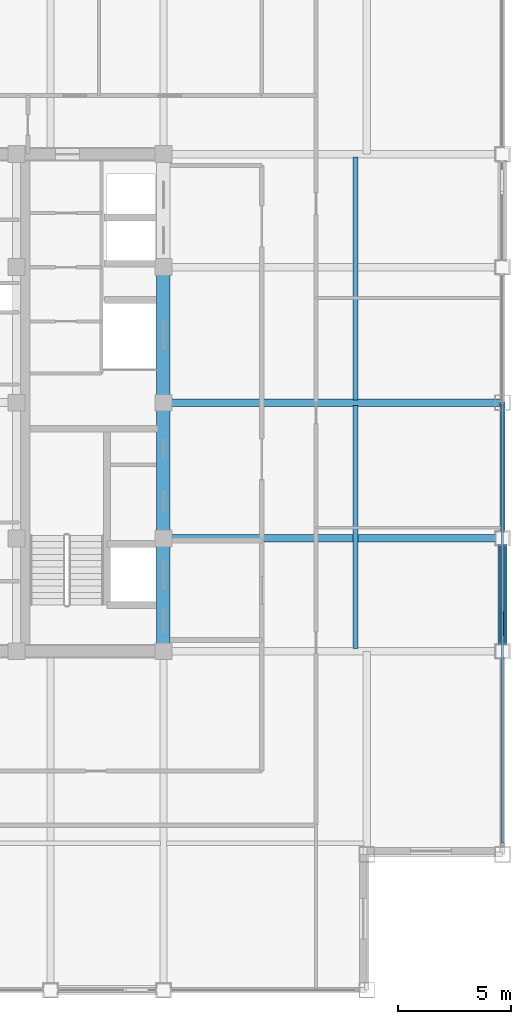
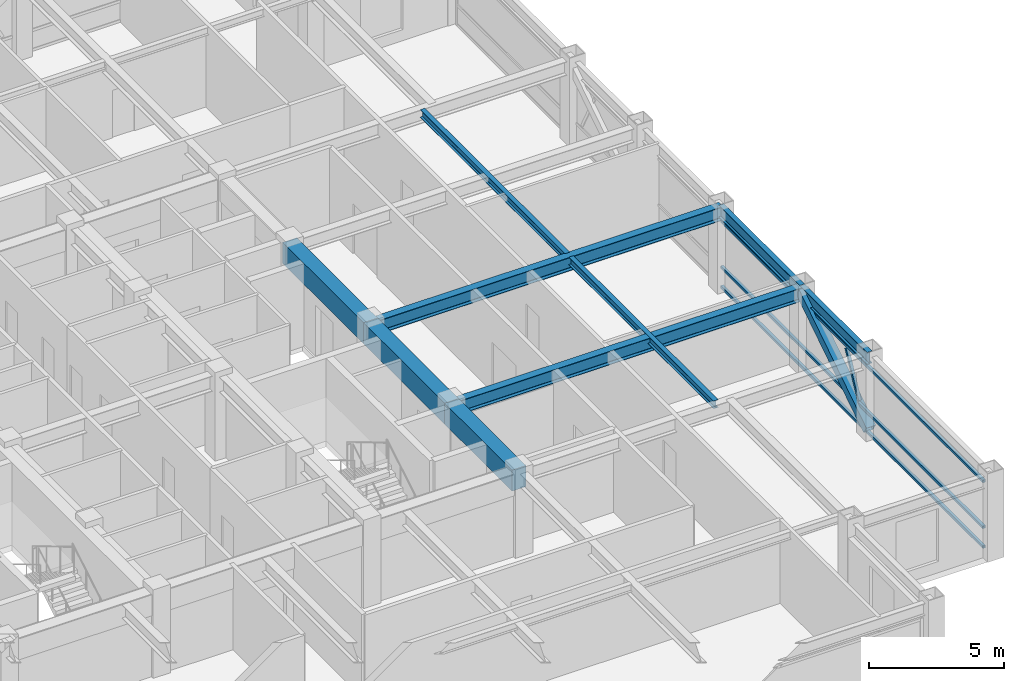
# One storey, part 11 of 29: 9 beams, 5 members, 1 element without a shape of its own.
"""IFC4 building model written with IfcOpenShell, lengths in metres."""

from ifc_helpers import new_model, si_unit, direction, frame, origin, origin_2d, place, context, subcontext, project, spatial, rectangle, hollow_rectangle, i_section, extrude, source, transform, mapped, material, material_profile, profile_set, type_object, element, aggregate, save


model = new_model("IFC4")

# Units and contexts
model_context = context("Model", 3, precision=1e-05, world=origin(), true_north=direction((0.0, 1.0)))
body_context = subcontext(model_context, "Body", "Model", "MODEL_VIEW")
ifc_project = project(units=[si_unit("LENGTHUNIT", "METRE"), si_unit("AREAUNIT", "SQUARE_METRE"), si_unit("VOLUMEUNIT", "CUBIC_METRE"), si_unit("PLANEANGLEUNIT", "RADIAN"), si_unit("MASSUNIT", "GRAM", prefix="KILO")], contexts=[model_context])

# Site, building, storey
site_placement = place(None, origin())
site = spatial("IfcSite", under=ifc_project, at=site_placement, CompositionType="ELEMENT")
building_placement = place(site_placement, origin())
building = spatial("IfcBuilding", under=site, at=building_placement, Name="Khorayat Bourse Tower", CompositionType="ELEMENT")
storey_placement = place(building_placement, frame((0.0, 0.0, 358.300048828125)))
storey = spatial("IfcBuildingStorey", under=building, at=storey_placement, Name="L85", CompositionType="ELEMENT", Elevation=358.300048828125)

# Beams
ifc_material_1 = material(Name="Concrete C60/75", Category="concrete")
ifc_material_profile_1 = material_profile(ifc_material_1, rectangle(XDim=0.60009765625, YDim=0.949951171875, at=origin_2d()), Name="RC 600x950")
ifc_profile_set_1 = profile_set([ifc_material_profile_1], Name="Concrete C60/75")
beam_type_1 = type_object("IfcBeamType", Name="BM-COUP-950", PredefinedType="BEAM", material=ifc_profile_set_1)
shared_shape_1 = source(origin(), body_context, "Body", "SweptSolid", [
    extrude(rectangle(XDim=0.60009765625, YDim=0.949951171875, at=origin_2d()), origin(), (0.0, 0.0, 1.0), 5.0),
])
beam_1_placement = place(storey_placement, frame((11.0, -11.0, 3.264892578125), z_axis=(0.0, 1.0, 0.0), x_axis=(-1.0, 0.0, 0.0)))
element("IfcBeam", 1, at=beam_1_placement, inside=storey, type_object=beam_type_1, Name="L85 BM-COUP-950 BM-L85-CRX-13", PredefinedType="BEAM", context=body_context, shape_type="MappedRepresentation", body=[
    mapped(shared_shape_1, transform((0.0, 0.0, 0.0), scale=1.0)),
])
shared_shape_2 = source(origin(), body_context, "Body", "SweptSolid", [
    extrude(rectangle(XDim=0.60009765625, YDim=0.949951171875, at=origin_2d()), origin(), (0.0, 0.0, 1.0), 6.0),
])
for number, where, z_axis, x_axis, name in (
    (2, (11.0, -6.0, 3.264892578125), (0.0, 1.0, 0.0), (-1.0, 0.0, 0.0), "L85 BM-COUP-950 BM-L85-CRX-14"),
    (3, (11.0, 0.0, 3.264892578125), (0.0, 1.0, 0.0), (-1.0, 0.0, 0.0), "L85 BM-COUP-950 BM-L85-CRX-15"),
):
    element("IfcBeam", number, at=place(storey_placement, frame(where, z_axis=z_axis, x_axis=x_axis)), inside=storey, type_object=beam_type_1, Name=name, PredefinedType="BEAM", context=body_context, shape_type="MappedRepresentation", body=[
        mapped(shared_shape_2, transform((0.0, 0.0, 0.0), scale=1.0)),
    ])
ifc_material_2 = material(Name="Steel ASTM A992 Grade 50", Category="steel")
ifc_material_profile_2 = material_profile(ifc_material_2, i_section(OverallWidth=0.202880859375, OverallDepth=0.346923828125, WebThickness=0.0078125, FlangeThickness=0.013427734375, FilletRadius=0.010009765625, at=origin_2d()), Name="W360X64")
ifc_profile_set_2 = profile_set([ifc_material_profile_2], Name="Steel ASTM A992 Grade 50")
beam_type_2 = type_object("IfcBeamType", Name="BM-JOIST-360", PredefinedType="JOIST", material=ifc_profile_set_2)
shared_shape_3 = source(origin(), body_context, "Body", "SweptSolid", [
    extrude(i_section(OverallWidth=0.202880859375, OverallDepth=0.346923828125, WebThickness=0.0078125, FlangeThickness=0.013427734375, FilletRadius=0.010009765625, at=origin_2d()), origin(), (0.0, 0.0, 1.0), 10.740234375),
])
for number, where, z_axis, x_axis, name in (
    (4, (19.5, -10.8701171875, 3.56640625), (0.0, 1.0, 0.0), (-1.0, 0.0, 0.0), "L85 BM-JOIST-360 BM-L85-JSTY-088"),
    (5, (19.5, 0.1298828125, 3.56640625), (0.0, 1.0, 0.0), (-1.0, 0.0, 0.0), "L85 BM-JOIST-360 BM-L85-JSTY-089"),
):
    element("IfcBeam", number, at=place(storey_placement, frame(where, z_axis=z_axis, x_axis=x_axis)), inside=storey, type_object=beam_type_2, Name=name, PredefinedType="JOIST", context=body_context, shape_type="MappedRepresentation", body=[
        mapped(shared_shape_3, transform((0.0, 0.0, 0.0), scale=1.0)),
    ])
ifc_material_profile_3 = material_profile(ifc_material_2, i_section(OverallWidth=0.214111328125, OverallDepth=0.549072265625, WebThickness=0.0146484375, FlangeThickness=0.023681640625, FilletRadius=0.013916015625, at=origin_2d()), Name="W530X138")
ifc_profile_set_3 = profile_set([ifc_material_profile_3], Name="Steel ASTM A992 Grade 50")
beam_type_3 = type_object("IfcBeamType", Name="BM-SPAN-530", PredefinedType="SPANDREL", material=ifc_profile_set_3)
shared_shape_4 = source(origin(), body_context, "Body", "SweptSolid", [
    extrude(i_section(OverallWidth=0.214111328125, OverallDepth=0.549072265625, WebThickness=0.0146484375, FlangeThickness=0.023681640625, FilletRadius=0.013916015625, at=origin_2d()), origin(), (0.0, 0.0, 1.0), 5.0),
])
beam_2_placement = place(storey_placement, frame((26.0, -11.0, 3.46533203125), z_axis=(0.0, 1.0, 0.0), x_axis=(-1.0, 0.0, 0.0)))
element("IfcBeam", 6, at=beam_2_placement, inside=storey, type_object=beam_type_3, Name="L85 BM-SPAN-530 BM-L85-SPN-033", PredefinedType="SPANDREL", context=body_context, shape_type="MappedRepresentation", body=[
    mapped(shared_shape_4, transform((0.0, 0.0, 0.0), scale=1.0)),
])
shared_shape_5 = source(origin(), body_context, "Body", "SweptSolid", [
    extrude(i_section(OverallWidth=0.214111328125, OverallDepth=0.549072265625, WebThickness=0.0146484375, FlangeThickness=0.023681640625, FilletRadius=0.013916015625, at=origin_2d()), origin(), (0.0, 0.0, 1.0), 6.0),
])
beam_3_placement = place(storey_placement, frame((26.0, -6.0, 3.46533203125), z_axis=(0.0, 1.0, 0.0), x_axis=(-1.0, 0.0, 0.0)))
element("IfcBeam", 7, at=beam_3_placement, inside=storey, type_object=beam_type_3, Name="L85 BM-SPAN-530 BM-L85-SPN-034", PredefinedType="SPANDREL", context=body_context, shape_type="MappedRepresentation", body=[
    mapped(shared_shape_5, transform((0.0, 0.0, 0.0), scale=1.0)),
])
ifc_material_profile_4 = material_profile(ifc_material_2, i_section(OverallWidth=0.324951171875, OverallDepth=0.615966796875, WebThickness=0.013916015625, FlangeThickness=0.021484375, FilletRadius=0.01611328125, at=origin_2d()), Name="W610X174")
ifc_profile_set_4 = profile_set([ifc_material_profile_4], Name="Steel ASTM A992 Grade 50")
beam_type_4 = type_object("IfcBeamType", Name="BM-GIRD-610", PredefinedType="BEAM", material=ifc_profile_set_4)
shared_shape_6 = source(origin(), body_context, "Body", "SweptSolid", [
    extrude(i_section(OverallWidth=0.324951171875, OverallDepth=0.615966796875, WebThickness=0.013916015625, FlangeThickness=0.021484375, FilletRadius=0.01611328125, at=origin_2d()), origin(), (0.0, 0.0, 1.0), 15.0),
])
for number, where, z_axis, x_axis, name in (
    (8, (11.0, -6.0, 3.431884765625), (1.0, 0.0, 0.0), (0.0, 1.0, 0.0), "L85 BM-GIRD-610 BM-L85-RADX-068"),
    (9, (11.0, 0.0, 3.431884765625), (1.0, 0.0, 0.0), (0.0, 1.0, 0.0), "L85 BM-GIRD-610 BM-L85-RADX-070"),
):
    element("IfcBeam", number, at=place(storey_placement, frame(where, z_axis=z_axis, x_axis=x_axis)), inside=storey, type_object=beam_type_4, Name=name, PredefinedType="BEAM", context=body_context, shape_type="MappedRepresentation", body=[
        mapped(shared_shape_6, transform((0.0, 0.0, 0.0), scale=1.0)),
    ])

# Member
ifc_material_3 = material(Name="Steel EN 10025-4 S460M", Category="steel")
ifc_material_profile_5 = material_profile(ifc_material_3, hollow_rectangle(XDim=0.39990234375, YDim=0.39990234375, WallThickness=0.02197265625, at=origin_2d()), Name="HSS 400x400x22")
ifc_profile_set_5 = profile_set([ifc_material_profile_5], Name="Steel EN 10025-4 S460M")
member_type_1 = type_object("IfcMemberType", Name="MBR-TUBE-400", PredefinedType="BRACE", material=ifc_profile_set_5)
shared_shape_7 = source(origin(), body_context, "Body", "SweptSolid", [
    extrude(hollow_rectangle(XDim=0.39990234375, YDim=0.39990234375, WallThickness=0.02197265625, at=origin_2d()), origin(), (0.0, 0.0, 1.0), 5.9580078125),
])
member_1_placement = place(storey_placement, frame((26.0, -11.0, 0.25), z_axis=(0.0, 0.839210474455, 0.543806748364), x_axis=(-1.0, 0.0, 0.0)))
element("IfcMember", 10, at=member_1_placement, inside=storey, type_object=member_type_1, Name="L85 Perimeter Tube Brace 07", PredefinedType="BRACE", context=body_context, shape_type="MappedRepresentation", body=[
    mapped(shared_shape_7, transform((0.0, 0.0, 0.0), scale=1.0)),
])

# Curtain wall, members
ifc_material_4 = material(Name="Aluminium EN AW-6063 T6", Category="aluminium")
curtain_wall_type = type_object("IfcCurtainWallType", Name="CW-SYS-04", PredefinedType="NOTDEFINED", material=ifc_material_4)
curtain_wall_placement = place(storey_placement, origin())
curtain_wall = element("IfcCurtainWall", 11, at=curtain_wall_placement, inside=storey, type_object=curtain_wall_type, Name="L85 Curtain Wall CW-L85-E1", PredefinedType="NOTDEFINED")
ifc_material_profile_6 = material_profile(ifc_material_4, hollow_rectangle(XDim=0.1201171875, YDim=0.1201171875, WallThickness=0.0048828125, at=origin_2d()), Name="ALU 120x120x5")
ifc_profile_set_6 = profile_set([ifc_material_profile_6], Name="Aluminium EN AW-6063 T6")
member_type_2 = type_object("IfcMemberType", Name="CWM-DIAG-120", PredefinedType="MULLION", material=ifc_profile_set_6)
shared_shape_8 = source(origin(), body_context, "Body", "SweptSolid", [
    extrude(hollow_rectangle(XDim=0.1201171875, YDim=0.1201171875, WallThickness=0.0048828125, at=origin_2d()), origin(), (0.0, 0.0, 1.0), 2.0341796875),
])
member_2_placement = place(storey_placement, frame((26.0, -10.24365234375, 1.08984375), z_axis=(0.0, 0.465696964104, 0.884944256789), x_axis=(-1.0, 0.0, 0.0)))
member_2 = element("IfcMember", 12, at=member_2_placement, type_object=member_type_2, Name="CW-L85-E1 Faceted Diagonal Mullion 1", PredefinedType="MULLION", context=body_context, shape_type="MappedRepresentation", body=[
    mapped(shared_shape_8, transform((0.0, 0.0, 0.0), scale=1.0)),
])
ifc_material_profile_7 = material_profile(ifc_material_4, hollow_rectangle(XDim=0.1201171875, YDim=0.1201171875, WallThickness=0.0048828125, at=origin_2d()), Name="ALU 120x120x5")
ifc_profile_set_7 = profile_set([ifc_material_profile_7], Name="Aluminium EN AW-6063 T6")
member_type_3 = type_object("IfcMemberType", Name="CWT-HORZ-120", PredefinedType="USERDEFINED", material=ifc_profile_set_7)
shared_shape_9 = source(origin(), body_context, "Body", "SweptSolid", [
    extrude(hollow_rectangle(XDim=0.1201171875, YDim=0.1201171875, WallThickness=0.0048828125, at=origin_2d()), origin(), (0.0, 0.0, 1.0), 19.419921875),
])
member_3_placement = place(storey_placement, frame((26.0, -19.47998046875, 0.06005859375), z_axis=(0.0, 1.0, 0.0), x_axis=(-1.0, 0.0, 0.0)))
member_3 = element("IfcMember", 13, at=member_3_placement, type_object=member_type_3, Name="CW-L85-E1 Horizontal Transom 1-1", ObjectType="TRANSOM", PredefinedType="USERDEFINED", context=body_context, shape_type="MappedRepresentation", body=[
    mapped(shared_shape_9, transform((0.0, 0.0, 0.0), scale=1.0)),
])
member_4_placement = place(storey_placement, frame((26.0, -19.47998046875, 0.949951171875), z_axis=(0.0, 1.0, 0.0), x_axis=(-1.0, 0.0, 0.0)))
member_4 = element("IfcMember", 14, at=member_4_placement, type_object=member_type_3, Name="CW-L85-E1 Horizontal Transom 1-2", ObjectType="TRANSOM", PredefinedType="USERDEFINED", context=body_context, shape_type="MappedRepresentation", body=[
    mapped(shared_shape_9, transform((0.0, 0.0, 0.0), scale=1.0)),
])
member_5_placement = place(storey_placement, frame((26.0, -19.47998046875, 3.030029296875), z_axis=(0.0, 1.0, 0.0), x_axis=(-1.0, 0.0, 0.0)))
member_5 = element("IfcMember", 15, at=member_5_placement, type_object=member_type_3, Name="CW-L85-E1 Horizontal Transom 1-3", ObjectType="TRANSOM", PredefinedType="USERDEFINED", context=body_context, shape_type="MappedRepresentation", body=[
    mapped(shared_shape_9, transform((0.0, 0.0, 0.0), scale=1.0)),
])
aggregate(curtain_wall, [member_3, member_4, member_5, member_2])

save(model, "model.ifc")
